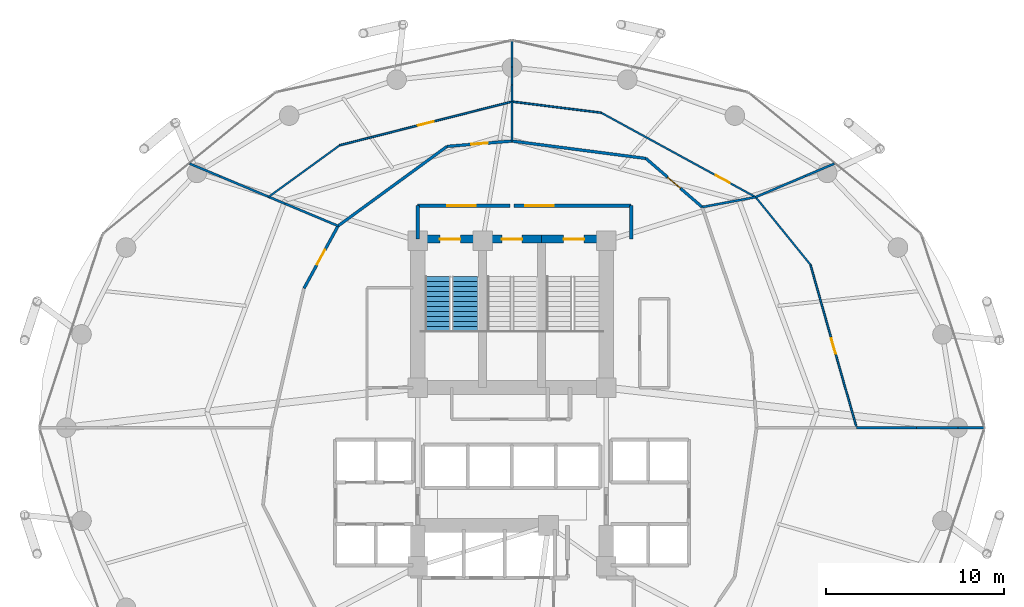
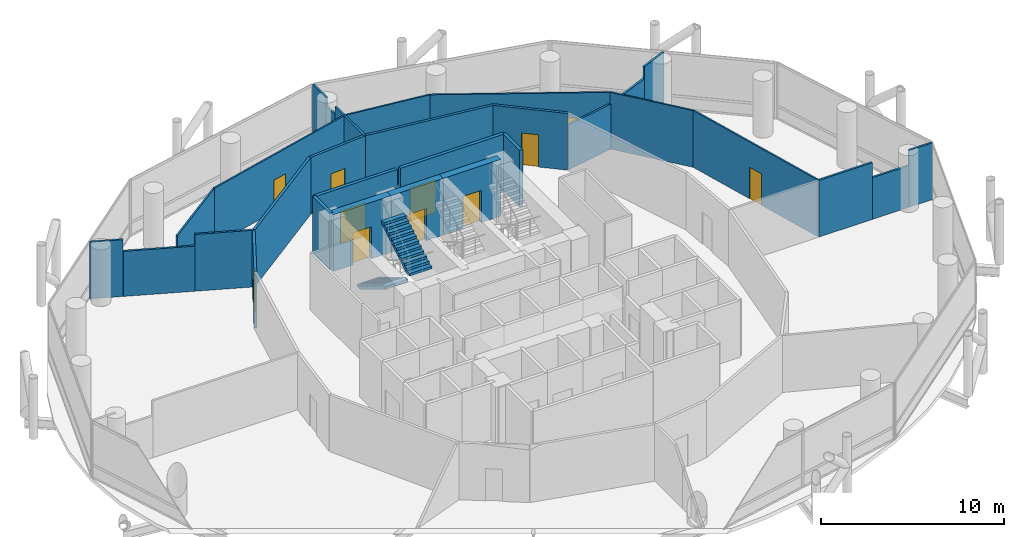
# One storey, part 23 of 25: 31 walls, 11 doors, 2 stair flights, 11 openings, 1 element without a shape of its own.
"""IFC4 building model written with IfcOpenShell, lengths in metres."""

from ifc_helpers import new_model, si_unit, direction, frame, frame_2d, origin, place, context, subcontext, project, spatial, polyline, rectangle, outline, extrude, material, layer, layer_set, type_object, element, fill, aggregate, save


model = new_model("IFC4")

# Units and contexts
model_context = context("Model", 3, precision=1e-05, world=origin(), true_north=direction((0.0, 1.0)))
body_context = subcontext(model_context, "Body", "Model", "MODEL_VIEW")
ifc_project = project(units=[si_unit("LENGTHUNIT", "METRE"), si_unit("AREAUNIT", "SQUARE_METRE"), si_unit("VOLUMEUNIT", "CUBIC_METRE"), si_unit("PLANEANGLEUNIT", "RADIAN"), si_unit("MASSUNIT", "GRAM", prefix="KILO")], contexts=[model_context])

# Site, building, storey
site_placement = place(None, origin())
site = spatial("IfcSite", under=ifc_project, at=site_placement, CompositionType="ELEMENT")
building_placement = place(site_placement, origin())
building = spatial("IfcBuilding", under=site, at=building_placement, Name="Nuhasar Tower", CompositionType="ELEMENT")
storey_placement = place(building_placement, frame((0.0, 0.0, 45.300048828125)))
storey = spatial("IfcBuildingStorey", under=building, at=storey_placement, Name="L10", CompositionType="ELEMENT", Elevation=45.300048828125)

# Wall, opening, door
ifc_material_1 = material(Name="Concrete C50/60", Category="concrete")
ifc_layer_1 = layer(ifc_material_1, 0.449951171875)
ifc_layer_set_1 = layer_set([ifc_layer_1], Name="Concrete C50/60")
wall_type_1 = type_object("IfcWallType", Name="WL-CORE-450", PredefinedType="SHEAR", material=ifc_layer_set_1)
wall_1_placement = place(storey_placement, frame((37.35009765625, 37.39990234375, 0.0), z_axis=(0.0, 0.0, 1.0), x_axis=(-1.0, 0.0, 0.0)))
wall_1 = element("IfcWall", 1, at=wall_1_placement, inside=storey, type_object=wall_type_1, Name="L10 Stairwell Shear Wall ST01-N", PredefinedType="SHEAR", context=body_context, shape_type="SweptSolid", body=[
    extrude(rectangle(XDim=3.650146484375, YDim=0.449951171875, at=frame_2d((1.8251953125, 0.0))), origin(), (0.0, 0.0, 1.0), 3.7900390625),
])
opening_1_placement = place(wall_1_placement, frame((1.25, 0.0, 0.0)))
opening_1 = element("IfcOpeningElement", 2, at=opening_1_placement, cuts=wall_1, Name="Opening DS-01", PredefinedType="OPENING", context=body_context, shape_type="SweptSolid", body=[
    extrude(rectangle(XDim=1.14990234375, YDim=2.14990234375, at=frame_2d((0.574951171875, 1.074951171875))), frame((0.0, 0.23486328125, 0.0), z_axis=(0.0, -1.0, 0.0), x_axis=(1.0, 0.0, 0.0)), (0.0, 0.0, 1.0), 0.469970703125),
])
ifc_material_2 = material(Name="Steel S355", Category="steel")
door_type_1 = type_object("IfcDoorType", Name="DR-STAIR-FD120-1150", OperationType="NOTDEFINED", PredefinedType="DOOR", material=ifc_material_2)
door_1_placement = place(opening_1_placement, origin())
door_1 = element("IfcDoor", 3, at=door_1_placement, inside=storey, type_object=door_type_1, Name="L10 Exit Stair ST-01 Door", OperationType="SINGLE_SWING_RIGHT", OverallHeight=2.14990234375, OverallWidth=1.14990234375, PredefinedType="DOOR", context=body_context, shape_type="SweptSolid", body=[
    extrude(rectangle(XDim=1.14990234375, YDim=2.14990234375, at=frame_2d((0.574951171875, 1.074951171875))), frame((0.0, 0.02490234375, 0.0), z_axis=(0.0, -1.0, 0.0), x_axis=(1.0, 0.0, 0.0)), (0.0, 0.0, 1.0), 0.050048828125),
])
fill(opening_1, door_1)

wall_2_placement = place(storey_placement, frame((40.64990234375, 37.39990234375, 0.0), z_axis=(0.0, 0.0, 1.0), x_axis=(-1.0, 0.0, 0.0)))
wall_2 = element("IfcWall", 4, at=wall_2_placement, inside=storey, type_object=wall_type_1, Name="L10 Stairwell Shear Wall ST03-N", PredefinedType="SHEAR", context=body_context, shape_type="SweptSolid", body=[
    extrude(rectangle(XDim=3.2998046875, YDim=0.449951171875, at=frame_2d((1.64990234375, 0.0))), origin(), (0.0, 0.0, 1.0), 3.7900390625),
])
opening_2_placement = place(wall_2_placement, frame((1.074951171875, 0.0, 0.0)))
opening_2 = element("IfcOpeningElement", 5, at=opening_2_placement, cuts=wall_2, Name="Opening DS-01", PredefinedType="OPENING", context=body_context, shape_type="SweptSolid", body=[
    extrude(rectangle(XDim=1.14990234375, YDim=2.14990234375, at=frame_2d((0.574951171875, 1.074951171875))), frame((0.0, 0.23486328125, 0.0), z_axis=(0.0, -1.0, 0.0), x_axis=(1.0, 0.0, 0.0)), (0.0, 0.0, 1.0), 0.469970703125),
])
door_2_placement = place(opening_2_placement, origin())
door_2 = element("IfcDoor", 6, at=door_2_placement, inside=storey, type_object=door_type_1, Name="L10 Exit Stair ST-03 Door", OperationType="SINGLE_SWING_RIGHT", OverallHeight=2.14990234375, OverallWidth=1.14990234375, PredefinedType="DOOR", context=body_context, shape_type="SweptSolid", body=[
    extrude(rectangle(XDim=1.14990234375, YDim=2.14990234375, at=frame_2d((0.574951171875, 1.074951171875))), frame((0.0, 0.02490234375, 0.0), z_axis=(0.0, -1.0, 0.0), x_axis=(1.0, 0.0, 0.0)), (0.0, 0.0, 1.0), 0.050048828125),
])
fill(opening_2, door_2)

wall_3_placement = place(storey_placement, frame((44.300048828125, 37.39990234375, 0.0), z_axis=(0.0, 0.0, 1.0), x_axis=(-1.0, 0.0, 0.0)))
wall_3 = element("IfcWall", 7, at=wall_3_placement, inside=storey, type_object=wall_type_1, Name="L10 Stairwell Shear Wall ST02-N", PredefinedType="SHEAR", context=body_context, shape_type="SweptSolid", body=[
    extrude(rectangle(XDim=3.650146484375, YDim=0.449951171875, at=frame_2d((1.8251953125, 0.0))), origin(), (0.0, 0.0, 1.0), 3.7900390625),
])
opening_3_placement = place(wall_3_placement, frame((1.25, 0.0, 0.0)))
opening_3 = element("IfcOpeningElement", 8, at=opening_3_placement, cuts=wall_3, Name="Opening DS-01", PredefinedType="OPENING", context=body_context, shape_type="SweptSolid", body=[
    extrude(rectangle(XDim=1.14990234375, YDim=2.14990234375, at=frame_2d((0.574951171875, 1.074951171875))), frame((0.0, 0.23486328125, 0.0), z_axis=(0.0, -1.0, 0.0), x_axis=(1.0, 0.0, 0.0)), (0.0, 0.0, 1.0), 0.469970703125),
])
door_3_placement = place(opening_3_placement, origin())
door_3 = element("IfcDoor", 9, at=door_3_placement, inside=storey, type_object=door_type_1, Name="L10 Exit Stair ST-02 Door", OperationType="SINGLE_SWING_LEFT", OverallHeight=2.14990234375, OverallWidth=1.14990234375, PredefinedType="DOOR", context=body_context, shape_type="SweptSolid", body=[
    extrude(rectangle(XDim=1.14990234375, YDim=2.14990234375, at=frame_2d((0.574951171875, 1.074951171875))), frame((0.0, 0.02490234375, 0.0), z_axis=(0.0, -1.0, 0.0), x_axis=(1.0, 0.0, 0.0)), (0.0, 0.0, 1.0), 0.050048828125),
])
fill(opening_3, door_3)

ifc_material_3 = material(Name="Gypsum Board", Category="gypsum")
ifc_layer_2 = layer(ifc_material_3, 0.159912109375)
ifc_layer_set_2 = layer_set([ifc_layer_2], Name="Gypsum Board")
wall_type_2 = type_object("IfcWallType", Name="WL-CORR-160", PredefinedType="PARTITIONING", material=ifc_layer_set_2)
wall_4_placement = place(storey_placement, frame((46.530029296875, 41.928955078125, 0.0), z_axis=(0.0, 0.0, 1.0), x_axis=(0.756492941082, -0.654001857867, 0.0)))
wall_4 = element("IfcWall", 10, at=wall_4_placement, inside=storey, type_object=wall_type_2, Name="L10 Interior Partition CORR-06", PredefinedType="PARTITIONING", context=body_context, shape_type="SweptSolid", body=[
    extrude(rectangle(XDim=4.17578125, YDim=0.159912109375, at=frame_2d((2.087890625, 0.0))), origin(), (0.0, 0.0, 1.0), 3.7900390625),
])
opening_4_placement = place(wall_4_placement, frame((1.613037109375, 0.0, 0.0)))
opening_4 = element("IfcOpeningElement", 11, at=opening_4_placement, cuts=wall_4, Name="Opening DO-01", PredefinedType="OPENING", context=body_context, shape_type="SweptSolid", body=[
    extrude(rectangle(XDim=0.949951171875, YDim=2.14990234375, at=frame_2d((0.47509765625, 1.074951171875))), frame((0.0, 0.08984375, 0.0), z_axis=(0.0, -1.0, 0.0), x_axis=(1.0, 0.0, 0.0)), (0.0, 0.0, 1.0), 0.179931640625),
])
ifc_material_4 = material(Name="Timber Oak", Category="wood")
door_type_2 = type_object("IfcDoorType", Name="DR-OFFICE-FD30-950", OperationType="NOTDEFINED", PredefinedType="DOOR", material=ifc_material_4)
door_4_placement = place(opening_4_placement, origin())
door_4 = element("IfcDoor", 12, at=door_4_placement, inside=storey, type_object=door_type_2, Name="L10 Legal Chambers B Entry Door", OperationType="SINGLE_SWING_LEFT", OverallHeight=2.14990234375, OverallWidth=0.949951171875, PredefinedType="DOOR", context=body_context, shape_type="SweptSolid", body=[
    extrude(rectangle(XDim=0.949951171875, YDim=2.14990234375, at=frame_2d((0.47509765625, 1.074951171875))), frame((0.0, 0.02490234375, 0.0), z_axis=(0.0, -1.0, 0.0), x_axis=(1.0, 0.0, 0.0)), (0.0, 0.0, 1.0), 0.050048828125),
])
fill(opening_4, door_4)

# Wall
wall_5_placement = place(storey_placement, frame((46.530029296875, 41.928955078125, 0.0), z_axis=(0.0, 0.0, 1.0), x_axis=(-0.99162101561, 0.129181118592, 0.0)))
element("IfcWall", 13, at=wall_5_placement, inside=storey, type_object=wall_type_2, Name="L10 Interior Partition CORR-08", PredefinedType="PARTITIONING", context=body_context, shape_type="SweptSolid", body=[
    extrude(rectangle(XDim=7.59375, YDim=0.159912109375, at=frame_2d((3.796875, 0.0))), origin(), (0.0, 0.0, 1.0), 3.7900390625),
])

# Wall, opening, door
wall_6_placement = place(storey_placement, frame((35.347900390625, 42.60791015625, 0.0), z_axis=(0.0, 0.0, 1.0), x_axis=(0.996598394666, 0.082411405455, 0.0)))
wall_6 = element("IfcWall", 14, at=wall_6_placement, inside=storey, type_object=wall_type_2, Name="L10 Interior Partition CORR-12", PredefinedType="PARTITIONING", context=body_context, shape_type="SweptSolid", body=[
    extrude(rectangle(XDim=3.66455078125, YDim=0.159912109375, at=frame_2d((1.832275390625, 0.0))), origin(), (0.0, 0.0, 1.0), 3.7900390625),
])
opening_5_placement = place(wall_6_placement, frame((1.35693359375, 0.0, 0.0)))
opening_5 = element("IfcOpeningElement", 15, at=opening_5_placement, cuts=wall_6, Name="Opening DO-01", PredefinedType="OPENING", context=body_context, shape_type="SweptSolid", body=[
    extrude(rectangle(XDim=0.949951171875, YDim=2.14990234375, at=frame_2d((0.47509765625, 1.074951171875))), frame((0.0, 0.08984375, 0.0), z_axis=(0.0, -1.0, 0.0), x_axis=(1.0, 0.0, 0.0)), (0.0, 0.0, 1.0), 0.179931640625),
])
door_5_placement = place(opening_5_placement, origin())
door_5 = element("IfcDoor", 16, at=door_5_placement, inside=storey, type_object=door_type_2, Name="L10 Arbitration Hearing Room Entry Door", OperationType="SINGLE_SWING_LEFT", OverallHeight=2.14990234375, OverallWidth=0.949951171875, PredefinedType="DOOR", context=body_context, shape_type="SweptSolid", body=[
    extrude(rectangle(XDim=0.949951171875, YDim=2.14990234375, at=frame_2d((0.47509765625, 1.074951171875))), frame((0.0, 0.02490234375, 0.0), z_axis=(0.0, -1.0, 0.0), x_axis=(1.0, 0.0, 0.0)), (0.0, 0.0, 1.0), 0.050048828125),
])
fill(opening_5, door_5)

# Wall
wall_7_placement = place(storey_placement, frame((35.347900390625, 42.60791015625, 0.0), z_axis=(0.0, 0.0, 1.0), x_axis=(-0.807666592587, -0.589639445101, 0.0)))
element("IfcWall", 17, at=wall_7_placement, inside=storey, type_object=wall_type_2, Name="L10 Interior Partition CORR-14", PredefinedType="PARTITIONING", context=body_context, shape_type="SweptSolid", body=[
    extrude(rectangle(XDim=7.580810546875, YDim=0.159912109375, at=frame_2d((3.79052734375, 0.0))), origin(), (0.0, 0.0, 1.0), 3.7900390625),
])

# Wall, opening, door
wall_8_placement = place(storey_placement, frame((27.30908203125, 34.6298828125, 0.0), z_axis=(0.0, 0.0, 1.0), x_axis=(0.479339902436, 0.877629339717, 0.0)))
wall_8 = element("IfcWall", 18, at=wall_8_placement, inside=storey, type_object=wall_type_2, Name="L10 Interior Partition CORR-18", PredefinedType="PARTITIONING", context=body_context, shape_type="SweptSolid", body=[
    extrude(rectangle(XDim=3.997314453125, YDim=0.159912109375, at=frame_2d((1.99853515625, 0.0))), origin(), (0.0, 0.0, 1.0), 3.7900390625),
])
opening_6_placement = place(wall_8_placement, frame((1.52392578125, 0.0, 0.0)))
opening_6 = element("IfcOpeningElement", 19, at=opening_6_placement, cuts=wall_8, Name="Opening DO-01", PredefinedType="OPENING", context=body_context, shape_type="SweptSolid", body=[
    extrude(rectangle(XDim=0.949951171875, YDim=2.14990234375, at=frame_2d((0.47509765625, 1.074951171875))), frame((0.0, 0.08984375, 0.0), z_axis=(0.0, -1.0, 0.0), x_axis=(1.0, 0.0, 0.0)), (0.0, 0.0, 1.0), 0.179931640625),
])
door_6_placement = place(opening_6_placement, origin())
door_6 = element("IfcDoor", 20, at=door_6_placement, inside=storey, type_object=door_type_2, Name="L10 Chambers Tea Pantry Entry Door", OperationType="SINGLE_SWING_LEFT", OverallHeight=2.14990234375, OverallWidth=0.949951171875, PredefinedType="DOOR", context=body_context, shape_type="SweptSolid", body=[
    extrude(rectangle(XDim=0.949951171875, YDim=2.14990234375, at=frame_2d((0.47509765625, 1.074951171875))), frame((0.0, 0.02490234375, 0.0), z_axis=(0.0, -1.0, 0.0), x_axis=(1.0, 0.0, 0.0)), (0.0, 0.0, 1.0), 0.050048828125),
])
fill(opening_6, door_6)

# Walls
ifc_material_5 = material(Name="Concrete C45/55", Category="concrete")
ifc_layer_3 = layer(ifc_material_5, 0.199951171875)
ifc_layer_set_3 = layer_set([ifc_layer_3], Name="Concrete C45/55")
wall_type_3 = type_object("IfcWallType", Name="WL-LOBBY-200", PredefinedType="SOLIDWALL", material=ifc_layer_set_3)
for number, where, z_axis, x_axis, name in (
    (21, (33.699951171875, 37.39990234375, 0.0), (0.0, 0.0, 1.0), (0.0, 1.0, 0.0), "L10 Interior Partition NSL-W"),
    (22, (45.699951171875, 37.39990234375, 0.0), (0.0, 0.0, 1.0), (0.0, 1.0, 0.0), "L10 Interior Partition NSL-E"),
):
    element("IfcWall", number, at=place(storey_placement, frame(where, z_axis=z_axis, x_axis=x_axis)), inside=storey, type_object=wall_type_3, Name=name, PredefinedType="SOLIDWALL", context=body_context, shape_type="SweptSolid", body=[
        extrude(rectangle(XDim=1.880126953125, YDim=0.199951171875, at=frame_2d((0.93994140625, 0.0))), origin(), (0.0, 0.0, 1.0), 3.7900390625),
    ])

# Wall, opening, door
wall_9_placement = place(storey_placement, frame((38.89990234375, 39.280029296875, 0.0), z_axis=(0.0, 0.0, 1.0), x_axis=(-1.0, 0.0, 0.0)))
wall_9 = element("IfcWall", 23, at=wall_9_placement, inside=storey, type_object=wall_type_3, Name="L10 Interior Partition NSL-N1", PredefinedType="SOLIDWALL", context=body_context, shape_type="SweptSolid", body=[
    extrude(rectangle(XDim=5.199951171875, YDim=0.199951171875, at=frame_2d((2.60009765625, 0.0))), origin(), (0.0, 0.0, 1.0), 3.7900390625),
])
opening_7_placement = place(wall_9_placement, frame((1.949951171875, 0.0, 0.0)))
opening_7 = element("IfcOpeningElement", 24, at=opening_7_placement, cuts=wall_9, Name="Opening DC-01", PredefinedType="OPENING", context=body_context, shape_type="SweptSolid", body=[
    extrude(rectangle(XDim=1.60009765625, YDim=2.199951171875, at=frame_2d((0.800048828125, 1.10009765625))), frame((0.0, 0.10986328125, 0.0), z_axis=(0.0, -1.0, 0.0), x_axis=(1.0, 0.0, 0.0)), (0.0, 0.0, 1.0), 0.219970703125),
])
door_type_3 = type_object("IfcDoorType", Name="DR-CORR-FD60-1600", OperationType="DOUBLE_DOOR_SINGLE_SWING", PredefinedType="DOOR", material=ifc_material_2)
door_7_placement = place(opening_7_placement, origin())
door_7 = element("IfcDoor", 25, at=door_7_placement, inside=storey, type_object=door_type_3, Name="L10 North Stair Lobby West Door", OperationType="DOUBLE_DOOR_SINGLE_SWING", OverallHeight=2.199951171875, OverallWidth=1.60009765625, PredefinedType="DOOR", context=body_context, shape_type="SweptSolid", body=[
    extrude(rectangle(XDim=1.60009765625, YDim=2.199951171875, at=frame_2d((0.800048828125, 1.10009765625))), frame((0.0, 0.02490234375, 0.0), z_axis=(0.0, -1.0, 0.0), x_axis=(1.0, 0.0, 0.0)), (0.0, 0.0, 1.0), 0.050048828125),
])
fill(opening_7, door_7)

wall_10_placement = place(storey_placement, frame((45.699951171875, 39.280029296875, 0.0), z_axis=(0.0, 0.0, 1.0), x_axis=(-1.0, 0.0, 0.0)))
wall_10 = element("IfcWall", 26, at=wall_10_placement, inside=storey, type_object=wall_type_3, Name="L10 Interior Partition NSL-N2", PredefinedType="SOLIDWALL", context=body_context, shape_type="SweptSolid", body=[
    extrude(rectangle(XDim=6.599853515625, YDim=0.199951171875, at=frame_2d((3.2998046875, 0.0))), origin(), (0.0, 0.0, 1.0), 3.7900390625),
])
opening_8_placement = place(wall_10_placement, frame((4.35009765625, 0.0, 0.0)))
opening_8 = element("IfcOpeningElement", 27, at=opening_8_placement, cuts=wall_10, Name="Opening DC-01", PredefinedType="OPENING", context=body_context, shape_type="SweptSolid", body=[
    extrude(rectangle(XDim=1.60009765625, YDim=2.199951171875, at=frame_2d((0.800048828125, 1.10009765625))), frame((0.0, 0.10986328125, 0.0), z_axis=(0.0, -1.0, 0.0), x_axis=(1.0, 0.0, 0.0)), (0.0, 0.0, 1.0), 0.219970703125),
])
door_8_placement = place(opening_8_placement, origin())
door_8 = element("IfcDoor", 28, at=door_8_placement, inside=storey, type_object=door_type_3, Name="L10 North Stair Lobby East Door", OperationType="DOUBLE_DOOR_SINGLE_SWING", OverallHeight=2.199951171875, OverallWidth=1.60009765625, PredefinedType="DOOR", context=body_context, shape_type="SweptSolid", body=[
    extrude(rectangle(XDim=1.60009765625, YDim=2.199951171875, at=frame_2d((0.800048828125, 1.10009765625))), frame((0.0, 0.02490234375, 0.0), z_axis=(0.0, -1.0, 0.0), x_axis=(1.0, 0.0, 0.0)), (0.0, 0.0, 1.0), 0.050048828125),
])
fill(opening_8, door_8)

ifc_material_6 = material(Name="Aluminium 6063-T6", Category="aluminium")
ifc_layer_4 = layer(ifc_material_6, 0.10009765625)
ifc_layer_set_4 = layer_set([ifc_layer_4], Name="Aluminium 6063-T6")
wall_type_4 = type_object("IfcWallType", Name="WL-MOVABLE-100", PredefinedType="MOVABLE", material=ifc_layer_set_4)
wall_11_placement = place(storey_placement, frame((55.77197265625, 35.9619140625, 0.0), z_axis=(0.0, 0.0, 1.0), x_axis=(0.272515943622, -0.962151266939, 0.0)))
wall_11 = element("IfcWall", 29, at=wall_11_placement, inside=storey, type_object=wall_type_4, Name="L10 Interior Partition OMID-01-00", PredefinedType="MOVABLE", context=body_context, shape_type="SweptSolid", body=[
    extrude(rectangle(XDim=9.522216796875, YDim=0.10009765625, at=frame_2d((4.76123046875, 0.0))), origin(), (0.0, 0.0, 1.0), 3.7900390625),
])
opening_9_placement = place(wall_11_placement, frame((4.31103515625, 0.0, 0.0)))
opening_9 = element("IfcOpeningElement", 30, at=opening_9_placement, cuts=wall_11, Name="Opening DR-01", PredefinedType="OPENING", context=body_context, shape_type="SweptSolid", body=[
    extrude(rectangle(XDim=0.89990234375, YDim=2.10009765625, at=frame_2d((0.449951171875, 1.050048828125))), frame((0.0, 0.06005859375, 0.0), z_axis=(0.0, -1.0, 0.0), x_axis=(1.0, 0.0, 0.0)), (0.0, 0.0, 1.0), 0.1201171875),
])
door_type_4 = type_object("IfcDoorType", Name="DR-ROOM-900", OperationType="NOTDEFINED", PredefinedType="DOOR", material=ifc_material_4)
door_9_placement = place(opening_9_placement, origin())
door_9 = element("IfcDoor", 31, at=door_9_placement, inside=storey, type_object=door_type_4, Name="L10 Legal Chambers A Inner Door", OperationType="SINGLE_SWING_LEFT", OverallHeight=2.10009765625, OverallWidth=0.89990234375, PredefinedType="DOOR", context=body_context, shape_type="SweptSolid", body=[
    extrude(rectangle(XDim=0.89990234375, YDim=2.10009765625, at=frame_2d((0.449951171875, 1.050048828125))), frame((0.0, 0.02490234375, 0.0), z_axis=(0.0, -1.0, 0.0), x_axis=(1.0, 0.0, 0.0)), (0.0, 0.0, 1.0), 0.050048828125),
])
fill(opening_9, door_9)

# Wall
wall_12_placement = place(storey_placement, frame((55.77197265625, 35.9619140625, 0.0), z_axis=(0.0, 0.0, 1.0), x_axis=(-0.629672409309, 0.776860770637, 0.0)))
element("IfcWall", 32, at=wall_12_placement, inside=storey, type_object=wall_type_4, Name="L10 Interior Partition OMID-01-04", PredefinedType="MOVABLE", context=body_context, shape_type="SweptSolid", body=[
    extrude(rectangle(XDim=4.886474609375, YDim=0.10009765625, at=frame_2d((2.443359375, 0.0))), origin(), (0.0, 0.0, 1.0), 3.7900390625),
])

# Wall, opening, door
wall_13_placement = place(storey_placement, frame((44.012939453125, 44.5009765625, 0.0), z_axis=(0.0, 0.0, 1.0), x_axis=(0.877588886427, -0.479413961437, 0.0)))
wall_13 = element("IfcWall", 33, at=wall_13_placement, inside=storey, type_object=wall_type_4, Name="L10 Interior Partition OMID-02-06", PredefinedType="MOVABLE", context=body_context, shape_type="SweptSolid", body=[
    extrude(rectangle(XDim=9.89306640625, YDim=0.10009765625, at=frame_2d((4.946533203125, 0.0))), origin(), (0.0, 0.0, 1.0), 3.7900390625),
])
opening_10_placement = place(wall_13_placement, frame((7.3359375, 0.0, 0.0)))
opening_10 = element("IfcOpeningElement", 34, at=opening_10_placement, cuts=wall_13, Name="Opening DR-01", PredefinedType="OPENING", context=body_context, shape_type="SweptSolid", body=[
    extrude(rectangle(XDim=0.89990234375, YDim=2.10009765625, at=frame_2d((0.449951171875, 1.050048828125))), frame((0.0, 0.06005859375, 0.0), z_axis=(0.0, -1.0, 0.0), x_axis=(1.0, 0.0, 0.0)), (0.0, 0.0, 1.0), 0.1201171875),
])
door_10_placement = place(opening_10_placement, origin())
door_10 = element("IfcDoor", 35, at=door_10_placement, inside=storey, type_object=door_type_4, Name="L10 Legal Chambers B Inner Door", OperationType="SINGLE_SWING_RIGHT", OverallHeight=2.10009765625, OverallWidth=0.89990234375, PredefinedType="DOOR", context=body_context, shape_type="SweptSolid", body=[
    extrude(rectangle(XDim=0.89990234375, YDim=2.10009765625, at=frame_2d((0.449951171875, 1.050048828125))), frame((0.0, 0.02490234375, 0.0), z_axis=(0.0, -1.0, 0.0), x_axis=(1.0, 0.0, 0.0)), (0.0, 0.0, 1.0), 0.050048828125),
])
fill(opening_10, door_10)

# Wall
wall_14_placement = place(storey_placement, frame((44.012939453125, 44.5009765625, 0.0), z_axis=(0.0, 0.0, 1.0), x_axis=(-0.992340947468, 0.123529121985, 0.0)))
element("IfcWall", 36, at=wall_14_placement, inside=storey, type_object=wall_type_4, Name="L10 Interior Partition OMID-02-10", PredefinedType="MOVABLE", context=body_context, shape_type="SweptSolid", body=[
    extrude(rectangle(XDim=5.051513671875, YDim=0.10009765625, at=frame_2d((2.52587890625, 0.0))), origin(), (0.0, 0.0, 1.0), 3.7900390625),
])

# Wall, opening, door
wall_15_placement = place(storey_placement, frame((29.31689453125, 42.669921875, 0.0), z_axis=(0.0, 0.0, 1.0), x_axis=(0.969329167934, 0.245766076162, 0.0)))
wall_15 = element("IfcWall", 37, at=wall_15_placement, inside=storey, type_object=wall_type_4, Name="L10 Interior Partition OMID-03-12", PredefinedType="MOVABLE", context=body_context, shape_type="SweptSolid", body=[
    extrude(rectangle(XDim=9.989501953125, YDim=0.10009765625, at=frame_2d((4.99462890625, 0.0))), origin(), (0.0, 0.0, 1.0), 3.7900390625),
])
opening_11_placement = place(wall_15_placement, frame((4.544921875, 0.0, 0.0)))
opening_11 = element("IfcOpeningElement", 38, at=opening_11_placement, cuts=wall_15, Name="Opening DR-01", PredefinedType="OPENING", context=body_context, shape_type="SweptSolid", body=[
    extrude(rectangle(XDim=0.89990234375, YDim=2.10009765625, at=frame_2d((0.449951171875, 1.050048828125))), frame((0.0, 0.06005859375, 0.0), z_axis=(0.0, -1.0, 0.0), x_axis=(1.0, 0.0, 0.0)), (0.0, 0.0, 1.0), 0.1201171875),
])
door_11_placement = place(opening_11_placement, origin())
door_11 = element("IfcDoor", 39, at=door_11_placement, inside=storey, type_object=door_type_4, Name="L10 Arbitration Hearing Room Inner Door", OperationType="SINGLE_SWING_LEFT", OverallHeight=2.10009765625, OverallWidth=0.89990234375, PredefinedType="DOOR", context=body_context, shape_type="SweptSolid", body=[
    extrude(rectangle(XDim=0.89990234375, YDim=2.10009765625, at=frame_2d((0.449951171875, 1.050048828125))), frame((0.0, 0.02490234375, 0.0), z_axis=(0.0, -1.0, 0.0), x_axis=(1.0, 0.0, 0.0)), (0.0, 0.0, 1.0), 0.050048828125),
])
fill(opening_11, door_11)

# Walls
wall_16_placement = place(storey_placement, frame((29.31689453125, 42.669921875, 0.0), z_axis=(0.0, 0.0, 1.0), x_axis=(-0.809304329507, -0.587389565997, 0.0)))
element("IfcWall", 40, at=wall_16_placement, inside=storey, type_object=wall_type_4, Name="L10 Interior Partition OMID-03-16", PredefinedType="MOVABLE", context=body_context, shape_type="SweptSolid", body=[
    extrude(rectangle(XDim=4.957275390625, YDim=0.10009765625, at=frame_2d((2.478515625, 0.0))), origin(), (0.0, 0.0, 1.0), 3.7900390625),
])
ifc_layer_5 = layer(ifc_material_3, 0.125)
ifc_layer_set_5 = layer_set([ifc_layer_5], Name="Gypsum Board")
wall_type_5 = type_object("IfcWallType", Name="WL-PART-125", PredefinedType="PARTITIONING", material=ifc_layer_set_5)
wall_17_placement = place(storey_placement, frame((58.366943359375, 26.800048828125, 0.0), z_axis=(0.0, 0.0, 1.0), x_axis=(1.0, 0.0, 0.0)))
element("IfcWall", 41, at=wall_17_placement, inside=storey, type_object=wall_type_5, Name="L10 Interior Partition ORAD-00-S2", PredefinedType="PARTITIONING", context=body_context, shape_type="SweptSolid", body=[
    extrude(rectangle(XDim=3.363037109375, YDim=0.125, at=frame_2d((1.681640625, 0.0))), origin(), (0.0, 0.0, 1.0), 3.7900390625),
])
wall_18_placement = place(storey_placement, frame((61.72998046875, 26.800048828125, 0.0), z_axis=(0.0, 0.0, 1.0), x_axis=(1.0, 0.0, 0.0)))
element("IfcWall", 42, at=wall_18_placement, inside=storey, type_object=wall_type_5, Name="L10 Interior Partition ORAD-00-S2", PredefinedType="PARTITIONING", context=body_context, shape_type="SweptSolid", body=[
    extrude(rectangle(XDim=2.326904296875, YDim=0.125, at=frame_2d((1.16357421875, 0.0))), origin(), (0.0, 0.0, 1.0), 2.780029296875),
])
wall_19_placement = place(storey_placement, frame((64.056884765625, 26.800048828125, 0.0), z_axis=(0.0, 0.0, 1.0), x_axis=(1.0, 0.0, 0.0)))
element("IfcWall", 43, at=wall_19_placement, inside=storey, type_object=wall_type_5, Name="L10 Interior Partition ORAD-00-S2", PredefinedType="PARTITIONING", context=body_context, shape_type="SweptSolid", body=[
    extrude(rectangle(XDim=1.468017578125, YDim=0.125, at=frame_2d((0.73388671875, 0.0))), origin(), (0.0, 0.0, 1.0), 3.7900390625),
])
wall_20_placement = place(storey_placement, frame((49.68896484375, 39.197998046875, 0.0), z_axis=(0.0, 0.0, 1.0), x_axis=(0.983083941647, 0.183155572333, 0.0)))
element("IfcWall", 44, at=wall_20_placement, inside=storey, type_object=wall_type_5, Name="L10 Interior Partition ORAD-06-S1", PredefinedType="PARTITIONING", context=body_context, shape_type="SweptSolid", body=[
    extrude(rectangle(XDim=3.057861328125, YDim=0.125, at=frame_2d((1.52880859375, 0.0))), origin(), (0.0, 0.0, 1.0), 3.010009765625),
])
wall_21_placement = place(storey_placement, frame((52.695068359375, 39.758056640625, 0.0), z_axis=(0.0, 0.0, 1.0), x_axis=(0.92022473881, 0.391390380671, 0.0)))
element("IfcWall", 45, at=wall_21_placement, inside=storey, type_object=wall_type_5, Name="L10 Interior Partition ORAD-06-S2", PredefinedType="PARTITIONING", context=body_context, shape_type="SweptSolid", body=[
    extrude(rectangle(XDim=3.042724609375, YDim=0.125, at=frame_2d((1.521484375, 0.0))), origin(), (0.0, 0.0, 1.0), 3.010009765625),
])
wall_22_placement = place(storey_placement, frame((55.4951171875, 40.948974609375, 0.0), z_axis=(0.0, 0.0, 1.0), x_axis=(0.920394497478, 0.390991008864, 0.0)))
element("IfcWall", 46, at=wall_22_placement, inside=storey, type_object=wall_type_5, Name="L10 Interior Partition ORAD-06-S2", PredefinedType="PARTITIONING", context=body_context, shape_type="SweptSolid", body=[
    extrude(rectangle(XDim=1.76220703125, YDim=0.125, at=frame_2d((0.881103515625, 0.0))), origin(), (0.0, 0.0, 1.0), 3.7900390625),
])
wall_23_placement = place(storey_placement, frame((39.0, 42.909912109375, 0.0), z_axis=(0.0, 0.0, 1.0), x_axis=(0.0, 1.0, 0.0)))
element("IfcWall", 47, at=wall_23_placement, inside=storey, type_object=wall_type_5, Name="L10 Interior Partition ORAD-12-S1", PredefinedType="PARTITIONING", context=body_context, shape_type="SweptSolid", body=[
    extrude(rectangle(XDim=2.215087890625, YDim=0.125, at=frame_2d((1.107421875, 0.0))), origin(), (0.0, 0.0, 1.0), 3.7900390625),
])
wall_24_placement = place(storey_placement, frame((39.0, 45.125, 0.0), z_axis=(0.0, 0.0, 1.0), x_axis=(0.0, 1.0, 0.0)))
element("IfcWall", 48, at=wall_24_placement, inside=storey, type_object=wall_type_5, Name="L10 Interior Partition ORAD-12-S2", PredefinedType="PARTITIONING", context=body_context, shape_type="SweptSolid", body=[
    extrude(rectangle(XDim=0.928955078125, YDim=0.125, at=frame_2d((0.46435546875, 0.0))), origin(), (0.0, 0.0, 1.0), 3.7900390625),
])
wall_25_placement = place(storey_placement, frame((39.0, 46.053955078125, 0.0), z_axis=(0.0, 0.0, 1.0), x_axis=(0.0, 1.0, 0.0)))
element("IfcWall", 49, at=wall_25_placement, inside=storey, type_object=wall_type_5, Name="L10 Interior Partition ORAD-12-S2", PredefinedType="PARTITIONING", context=body_context, shape_type="SweptSolid", body=[
    extrude(rectangle(XDim=1.007080078125, YDim=0.125, at=frame_2d((0.50341796875, 0.0))), origin(), (0.0, 0.0, 1.0), 3.2548828125),
])
wall_26_placement = place(storey_placement, frame((39.0, 47.06103515625, 0.0), z_axis=(0.0, 0.0, 1.0), x_axis=(0.0, 1.0, 0.0)))
element("IfcWall", 50, at=wall_26_placement, inside=storey, type_object=wall_type_5, Name="L10 Interior Partition ORAD-12-S2", PredefinedType="PARTITIONING", context=body_context, shape_type="SweptSolid", body=[
    extrude(rectangle(XDim=1.4638671875, YDim=0.125, at=frame_2d((0.73193359375, 0.0))), origin(), (0.0, 0.0, 1.0), 3.7900390625),
])
wall_27_placement = place(storey_placement, frame((29.22509765625, 38.137939453125, 0.0), z_axis=(0.0, 0.0, 1.0), x_axis=(-0.92216319385, 0.386801039177, 0.0)))
element("IfcWall", 51, at=wall_27_placement, inside=storey, type_object=wall_type_5, Name="L10 Interior Partition ORAD-18", PredefinedType="PARTITIONING", context=body_context, shape_type="SweptSolid", body=[
    extrude(rectangle(XDim=3.242431640625, YDim=0.125, at=frame_2d((1.62109375, 0.0))), origin(), (0.0, 0.0, 1.0), 3.7900390625),
])
wall_28_placement = place(storey_placement, frame((26.235107421875, 39.39208984375, 0.0), z_axis=(0.0, 0.0, 1.0), x_axis=(-0.922079399294, 0.387000751159, 0.0)))
element("IfcWall", 52, at=wall_28_placement, inside=storey, type_object=wall_type_5, Name="L10 Interior Partition ORAD-18", PredefinedType="PARTITIONING", context=body_context, shape_type="SweptSolid", body=[
    extrude(rectangle(XDim=3.95849609375, YDim=0.125, at=frame_2d((1.979248046875, 0.0))), origin(), (0.0, 0.0, 1.0), 3.010009765625),
])
wall_29_placement = place(storey_placement, frame((22.5849609375, 40.924072265625, 0.0), z_axis=(0.0, 0.0, 1.0), x_axis=(-0.922162419432, 0.386802885443, 0.0)))
element("IfcWall", 53, at=wall_29_placement, inside=storey, type_object=wall_type_5, Name="L10 Interior Partition ORAD-18", PredefinedType="PARTITIONING", context=body_context, shape_type="SweptSolid", body=[
    extrude(rectangle(XDim=1.845458984375, YDim=0.125, at=frame_2d((0.9228515625, 0.0))), origin(), (0.0, 0.0, 1.0), 3.7900390625),
])

# Stair, stair flights
stair_type = type_object("IfcStairType", Name="STR-ST-01-2F-24R-1688", PredefinedType="HALF_TURN_STAIR", material=ifc_material_5)
stair_placement = place(storey_placement, origin())
stair = element("IfcStair", 54, at=stair_placement, inside=storey, type_object=stair_type, Name="L10 Exit Stair ST-01", PredefinedType="HALF_TURN_STAIR")
stair_flight_type = type_object("IfcStairFlightType", Name="SFL-ST-01-12R-1688", PredefinedType="STRAIGHT", material=ifc_material_5)
stair_flight_1_placement = place(storey_placement, frame((34.830078125, 35.284912109375, 0.0), z_axis=(0.0, 0.0, 1.0), x_axis=(0.0, -1.0, 0.0)))
stair_flight_1 = element("IfcStairFlight", 55, at=stair_flight_1_placement, type_object=stair_flight_type, Name="ST-01 flight 1", NumberOfRisers=12, NumberOfTreads=11, PredefinedType="STRAIGHT", RiserHeight=0.16875, TreadLength=0.28, context=body_context, shape_type="SweptSolid", body=[
    extrude(outline(polyline([(0.0, 0.0), (0.0, 0.168701171875), (0.280029296875, 0.168701171875), (0.280029296875, 0.33740234375), (0.56005859375, 0.33740234375), (0.56005859375, 0.50634765625), (0.840087890625, 0.50634765625), (0.840087890625, 0.675048828125), (1.1201171875, 0.675048828125), (1.1201171875, 0.84375), (1.39990234375, 0.84375), (1.39990234375, 1.012451171875), (1.679931640625, 1.012451171875), (1.679931640625, 1.18115234375), (1.9599609375, 1.18115234375), (1.9599609375, 1.35009765625), (2.239990234375, 1.35009765625), (2.239990234375, 1.518798828125), (2.52001953125, 1.518798828125), (2.52001953125, 1.6875), (2.800048828125, 1.6875), (2.800048828125, 1.856201171875), (3.080078125, 1.856201171875), (3.080078125, 2.02490234375), (3.080078125, 1.66943359375), (0.309814453125, 0.0), (0.0, 0.0)])), frame((0.0, 0.7099609375, 0.0), z_axis=(0.0, -1.0, 0.0), x_axis=(1.0, 0.0, 0.0)), (0.0, 0.0, 1.0), 1.419921875),
])
stair_flight_2_placement = place(storey_placement, frame((36.35009765625, 32.205078125, 2.02490234375), z_axis=(0.0, 0.0, 1.0), x_axis=(0.0, 1.0, 0.0)))
stair_flight_2 = element("IfcStairFlight", 56, at=stair_flight_2_placement, type_object=stair_flight_type, Name="ST-01 flight 2", NumberOfRisers=12, NumberOfTreads=11, PredefinedType="STRAIGHT", RiserHeight=0.16875, TreadLength=0.28, context=body_context, shape_type="SweptSolid", body=[
    extrude(outline(polyline([(0.0, 0.0), (0.0, 0.168701171875), (0.280029296875, 0.168701171875), (0.280029296875, 0.33740234375), (0.56005859375, 0.33740234375), (0.56005859375, 0.50634765625), (0.840087890625, 0.50634765625), (0.840087890625, 0.675048828125), (1.1201171875, 0.675048828125), (1.1201171875, 0.84375), (1.39990234375, 0.84375), (1.39990234375, 1.012451171875), (1.679931640625, 1.012451171875), (1.679931640625, 1.18115234375), (1.9599609375, 1.18115234375), (1.9599609375, 1.35009765625), (2.239990234375, 1.35009765625), (2.239990234375, 1.518798828125), (2.52001953125, 1.518798828125), (2.52001953125, 1.6875), (2.800048828125, 1.6875), (2.800048828125, 1.856201171875), (3.080078125, 1.856201171875), (3.080078125, 2.02490234375), (3.080078125, 1.66943359375), (0.309814453125, 0.0), (0.0, 0.0)])), frame((0.0, 0.7099609375, 0.0), z_axis=(0.0, -1.0, 0.0), x_axis=(1.0, 0.0, 0.0)), (0.0, 0.0, 1.0), 1.419921875),
])
aggregate(stair, [stair_flight_1, stair_flight_2])

save(model, "model.ifc")
